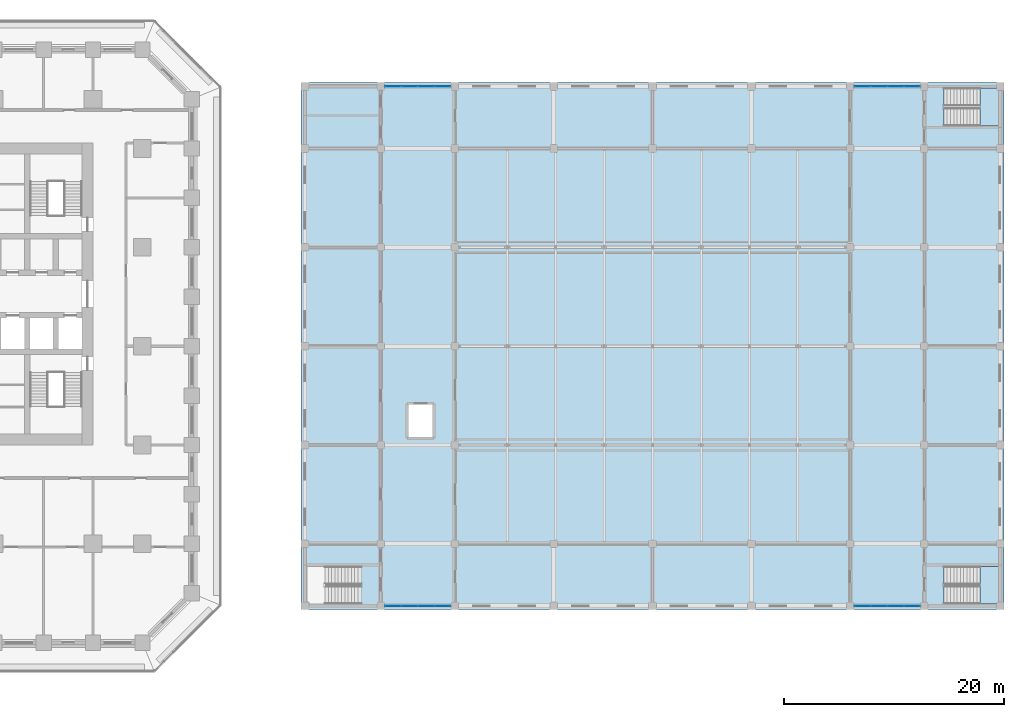
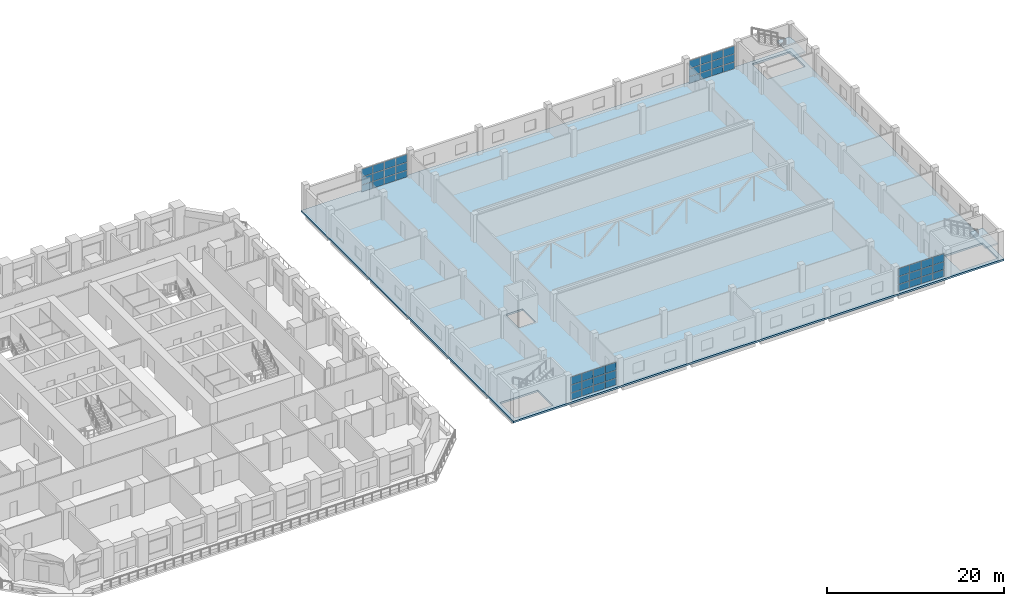
# One storey, part 24 of 42: 48 plates, 3 slabs, 6 elements without a shape of their own.
"""IFC4 building model written with IfcOpenShell, lengths in metres."""

from ifc_helpers import new_model, si_unit, direction, frame, origin, origin_2d, place, context, subcontext, project, spatial, polyline, rectangle, outline, extrude, material, layer, layer_set, type_object, element, aggregate, save


model = new_model("IFC4")

# Units and contexts
model_context = context("Model", 3, precision=1e-05, world=origin(), true_north=direction((0.0, 1.0)))
body_context = subcontext(model_context, "Body", "Model", "MODEL_VIEW")
ifc_project = project(units=[si_unit("LENGTHUNIT", "METRE"), si_unit("AREAUNIT", "SQUARE_METRE"), si_unit("VOLUMEUNIT", "CUBIC_METRE"), si_unit("PLANEANGLEUNIT", "RADIAN"), si_unit("MASSUNIT", "GRAM", prefix="KILO")], contexts=[model_context])

# Site, building, storey
site_placement = place(None, origin())
site = spatial("IfcSite", under=ifc_project, at=site_placement, CompositionType="ELEMENT")
building_placement = place(site_placement, origin())
building = spatial("IfcBuilding", under=site, at=building_placement, Name="Corbel Stack Research Tower", CompositionType="ELEMENT")
storey_placement = place(building_placement, frame((0.0, 0.0, 11.300048828125)))
storey = spatial("IfcBuildingStorey", under=building, at=storey_placement, Name="L02", CompositionType="ELEMENT", Elevation=11.300048828125)

# Curtain wall, plates
ifc_material_1 = material(Name="Aluminium", Category="aluminium")
ifc_layer_1 = layer(ifc_material_1, 0.14990234375)
ifc_layer_set_1 = layer_set([ifc_layer_1], Name="Aluminium")
curtain_wall_type = type_object("IfcCurtainWallType", Name="CW5 main facade curtain wall", PredefinedType="NOTDEFINED", material=ifc_layer_set_1)
curtain_wall_1_placement = place(storey_placement, origin())
curtain_wall_1 = element("IfcCurtainWall", 1, at=curtain_wall_1_placement, inside=storey, type_object=curtain_wall_type, Name="Main facade curtain wall L02 1", PredefinedType="NOTDEFINED")
ifc_material_2 = material(Name="Glass", Category="glass")
ifc_layer_2 = layer(ifc_material_2, 0.028076171875)
ifc_layer_set_2 = layer_set([ifc_layer_2], Name="Glass")
plate_type = type_object("IfcPlateType", Name="CW5 glass panel 28", PredefinedType="CURTAIN_PANEL", material=ifc_layer_set_2)
plate_1_placement = place(storey_placement, frame((45.3212890625, -23.64990234375, 0.06005859375), z_axis=(0.0, 0.0, 1.0), x_axis=(1.0, 0.0, 0.0)))
plate_1 = element("IfcPlate", 2, at=plate_1_placement, type_object=plate_type, Name="CW5 panel 1.1", PredefinedType="CURTAIN_PANEL", context=body_context, shape_type="SweptSolid", body=[
    extrude(rectangle(XDim=1.422607421875, YDim=0.028076171875, at=origin_2d()), origin(), (0.0, 0.0, 1.0), 0.909912109375),
])
plate_2_placement = place(storey_placement, frame((45.3212890625, -23.64990234375, 1.030029296875), z_axis=(0.0, 0.0, 1.0), x_axis=(1.0, 0.0, 0.0)))
plate_2 = element("IfcPlate", 3, at=plate_2_placement, type_object=plate_type, Name="CW5 panel 1.2", PredefinedType="CURTAIN_PANEL", context=body_context, shape_type="SweptSolid", body=[
    extrude(rectangle(XDim=1.422607421875, YDim=0.028076171875, at=origin_2d()), origin(), (0.0, 0.0, 1.0), 1.0400390625),
])
plate_3_placement = place(storey_placement, frame((45.3212890625, -23.64990234375, 2.1298828125), z_axis=(0.0, 0.0, 1.0), x_axis=(1.0, 0.0, 0.0)))
plate_3 = element("IfcPlate", 4, at=plate_3_placement, type_object=plate_type, Name="CW5 panel 1.3", PredefinedType="CURTAIN_PANEL", context=body_context, shape_type="SweptSolid", body=[
    extrude(rectangle(XDim=1.422607421875, YDim=0.028076171875, at=origin_2d()), origin(), (0.0, 0.0, 1.0), 1.06005859375),
])
plate_4_placement = place(storey_placement, frame((46.81884765625, -23.64990234375, 0.06005859375), z_axis=(0.0, 0.0, 1.0), x_axis=(1.0, 0.0, 0.0)))
plate_4 = element("IfcPlate", 5, at=plate_4_placement, type_object=plate_type, Name="CW5 panel 2.1", PredefinedType="CURTAIN_PANEL", context=body_context, shape_type="SweptSolid", body=[
    extrude(rectangle(XDim=1.452392578125, YDim=0.028076171875, at=origin_2d()), origin(), (0.0, 0.0, 1.0), 0.909912109375),
])
plate_5_placement = place(storey_placement, frame((46.81884765625, -23.64990234375, 1.030029296875), z_axis=(0.0, 0.0, 1.0), x_axis=(1.0, 0.0, 0.0)))
plate_5 = element("IfcPlate", 6, at=plate_5_placement, type_object=plate_type, Name="CW5 panel 2.2", PredefinedType="CURTAIN_PANEL", context=body_context, shape_type="SweptSolid", body=[
    extrude(rectangle(XDim=1.452392578125, YDim=0.028076171875, at=origin_2d()), origin(), (0.0, 0.0, 1.0), 1.0400390625),
])
plate_6_placement = place(storey_placement, frame((46.81884765625, -23.64990234375, 2.1298828125), z_axis=(0.0, 0.0, 1.0), x_axis=(1.0, 0.0, 0.0)))
plate_6 = element("IfcPlate", 7, at=plate_6_placement, type_object=plate_type, Name="CW5 panel 2.3", PredefinedType="CURTAIN_PANEL", context=body_context, shape_type="SweptSolid", body=[
    extrude(rectangle(XDim=1.452392578125, YDim=0.028076171875, at=origin_2d()), origin(), (0.0, 0.0, 1.0), 1.06005859375),
])
plate_7_placement = place(storey_placement, frame((48.331298828125, -23.64990234375, 0.06005859375), z_axis=(0.0, 0.0, 1.0), x_axis=(1.0, 0.0, 0.0)))
plate_7 = element("IfcPlate", 8, at=plate_7_placement, type_object=plate_type, Name="CW5 panel 3.1", PredefinedType="CURTAIN_PANEL", context=body_context, shape_type="SweptSolid", body=[
    extrude(rectangle(XDim=1.452392578125, YDim=0.028076171875, at=origin_2d()), origin(), (0.0, 0.0, 1.0), 0.909912109375),
])
plate_8_placement = place(storey_placement, frame((48.331298828125, -23.64990234375, 1.030029296875), z_axis=(0.0, 0.0, 1.0), x_axis=(1.0, 0.0, 0.0)))
plate_8 = element("IfcPlate", 9, at=plate_8_placement, type_object=plate_type, Name="CW5 panel 3.2", PredefinedType="CURTAIN_PANEL", context=body_context, shape_type="SweptSolid", body=[
    extrude(rectangle(XDim=1.452392578125, YDim=0.028076171875, at=origin_2d()), origin(), (0.0, 0.0, 1.0), 1.0400390625),
])
plate_9_placement = place(storey_placement, frame((48.331298828125, -23.64990234375, 2.1298828125), z_axis=(0.0, 0.0, 1.0), x_axis=(1.0, 0.0, 0.0)))
plate_9 = element("IfcPlate", 10, at=plate_9_placement, type_object=plate_type, Name="CW5 panel 3.3", PredefinedType="CURTAIN_PANEL", context=body_context, shape_type="SweptSolid", body=[
    extrude(rectangle(XDim=1.452392578125, YDim=0.028076171875, at=origin_2d()), origin(), (0.0, 0.0, 1.0), 1.06005859375),
])
plate_10_placement = place(storey_placement, frame((49.828857421875, -23.64990234375, 0.06005859375), z_axis=(0.0, 0.0, 1.0), x_axis=(1.0, 0.0, 0.0)))
plate_10 = element("IfcPlate", 11, at=plate_10_placement, type_object=plate_type, Name="CW5 panel 4.1", PredefinedType="CURTAIN_PANEL", context=body_context, shape_type="SweptSolid", body=[
    extrude(rectangle(XDim=1.422607421875, YDim=0.028076171875, at=origin_2d()), origin(), (0.0, 0.0, 1.0), 0.909912109375),
])
plate_11_placement = place(storey_placement, frame((49.828857421875, -23.64990234375, 1.030029296875), z_axis=(0.0, 0.0, 1.0), x_axis=(1.0, 0.0, 0.0)))
plate_11 = element("IfcPlate", 12, at=plate_11_placement, type_object=plate_type, Name="CW5 panel 4.2", PredefinedType="CURTAIN_PANEL", context=body_context, shape_type="SweptSolid", body=[
    extrude(rectangle(XDim=1.422607421875, YDim=0.028076171875, at=origin_2d()), origin(), (0.0, 0.0, 1.0), 1.0400390625),
])
plate_12_placement = place(storey_placement, frame((49.828857421875, -23.64990234375, 2.1298828125), z_axis=(0.0, 0.0, 1.0), x_axis=(1.0, 0.0, 0.0)))
plate_12 = element("IfcPlate", 13, at=plate_12_placement, type_object=plate_type, Name="CW5 panel 4.3", PredefinedType="CURTAIN_PANEL", context=body_context, shape_type="SweptSolid", body=[
    extrude(rectangle(XDim=1.422607421875, YDim=0.028076171875, at=origin_2d()), origin(), (0.0, 0.0, 1.0), 1.06005859375),
])
aggregate(curtain_wall_1, [plate_1, plate_2, plate_3, plate_4, plate_5, plate_6, plate_7, plate_8, plate_9, plate_10, plate_11, plate_12])

curtain_wall_2_placement = place(storey_placement, origin())
curtain_wall_2 = element("IfcCurtainWall", 14, at=curtain_wall_2_placement, inside=storey, type_object=curtain_wall_type, Name="Main facade curtain wall L02 2", PredefinedType="NOTDEFINED")
plate_13_placement = place(storey_placement, frame((45.3212890625, 23.64990234375, 0.06005859375), z_axis=(0.0, 0.0, 1.0), x_axis=(1.0, 0.0, 0.0)))
plate_13 = element("IfcPlate", 15, at=plate_13_placement, type_object=plate_type, Name="CW5 panel 1.1", PredefinedType="CURTAIN_PANEL", context=body_context, shape_type="SweptSolid", body=[
    extrude(rectangle(XDim=1.422607421875, YDim=0.028076171875, at=origin_2d()), origin(), (0.0, 0.0, 1.0), 0.909912109375),
])
plate_14_placement = place(storey_placement, frame((45.3212890625, 23.64990234375, 1.030029296875), z_axis=(0.0, 0.0, 1.0), x_axis=(1.0, 0.0, 0.0)))
plate_14 = element("IfcPlate", 16, at=plate_14_placement, type_object=plate_type, Name="CW5 panel 1.2", PredefinedType="CURTAIN_PANEL", context=body_context, shape_type="SweptSolid", body=[
    extrude(rectangle(XDim=1.422607421875, YDim=0.028076171875, at=origin_2d()), origin(), (0.0, 0.0, 1.0), 1.0400390625),
])
plate_15_placement = place(storey_placement, frame((45.3212890625, 23.64990234375, 2.1298828125), z_axis=(0.0, 0.0, 1.0), x_axis=(1.0, 0.0, 0.0)))
plate_15 = element("IfcPlate", 17, at=plate_15_placement, type_object=plate_type, Name="CW5 panel 1.3", PredefinedType="CURTAIN_PANEL", context=body_context, shape_type="SweptSolid", body=[
    extrude(rectangle(XDim=1.422607421875, YDim=0.028076171875, at=origin_2d()), origin(), (0.0, 0.0, 1.0), 1.06005859375),
])
plate_16_placement = place(storey_placement, frame((46.81884765625, 23.64990234375, 0.06005859375), z_axis=(0.0, 0.0, 1.0), x_axis=(1.0, 0.0, 0.0)))
plate_16 = element("IfcPlate", 18, at=plate_16_placement, type_object=plate_type, Name="CW5 panel 2.1", PredefinedType="CURTAIN_PANEL", context=body_context, shape_type="SweptSolid", body=[
    extrude(rectangle(XDim=1.452392578125, YDim=0.028076171875, at=origin_2d()), origin(), (0.0, 0.0, 1.0), 0.909912109375),
])
plate_17_placement = place(storey_placement, frame((46.81884765625, 23.64990234375, 1.030029296875), z_axis=(0.0, 0.0, 1.0), x_axis=(1.0, 0.0, 0.0)))
plate_17 = element("IfcPlate", 19, at=plate_17_placement, type_object=plate_type, Name="CW5 panel 2.2", PredefinedType="CURTAIN_PANEL", context=body_context, shape_type="SweptSolid", body=[
    extrude(rectangle(XDim=1.452392578125, YDim=0.028076171875, at=origin_2d()), origin(), (0.0, 0.0, 1.0), 1.0400390625),
])
plate_18_placement = place(storey_placement, frame((46.81884765625, 23.64990234375, 2.1298828125), z_axis=(0.0, 0.0, 1.0), x_axis=(1.0, 0.0, 0.0)))
plate_18 = element("IfcPlate", 20, at=plate_18_placement, type_object=plate_type, Name="CW5 panel 2.3", PredefinedType="CURTAIN_PANEL", context=body_context, shape_type="SweptSolid", body=[
    extrude(rectangle(XDim=1.452392578125, YDim=0.028076171875, at=origin_2d()), origin(), (0.0, 0.0, 1.0), 1.06005859375),
])
plate_19_placement = place(storey_placement, frame((48.331298828125, 23.64990234375, 0.06005859375), z_axis=(0.0, 0.0, 1.0), x_axis=(1.0, 0.0, 0.0)))
plate_19 = element("IfcPlate", 21, at=plate_19_placement, type_object=plate_type, Name="CW5 panel 3.1", PredefinedType="CURTAIN_PANEL", context=body_context, shape_type="SweptSolid", body=[
    extrude(rectangle(XDim=1.452392578125, YDim=0.028076171875, at=origin_2d()), origin(), (0.0, 0.0, 1.0), 0.909912109375),
])
plate_20_placement = place(storey_placement, frame((48.331298828125, 23.64990234375, 1.030029296875), z_axis=(0.0, 0.0, 1.0), x_axis=(1.0, 0.0, 0.0)))
plate_20 = element("IfcPlate", 22, at=plate_20_placement, type_object=plate_type, Name="CW5 panel 3.2", PredefinedType="CURTAIN_PANEL", context=body_context, shape_type="SweptSolid", body=[
    extrude(rectangle(XDim=1.452392578125, YDim=0.028076171875, at=origin_2d()), origin(), (0.0, 0.0, 1.0), 1.0400390625),
])
plate_21_placement = place(storey_placement, frame((48.331298828125, 23.64990234375, 2.1298828125), z_axis=(0.0, 0.0, 1.0), x_axis=(1.0, 0.0, 0.0)))
plate_21 = element("IfcPlate", 23, at=plate_21_placement, type_object=plate_type, Name="CW5 panel 3.3", PredefinedType="CURTAIN_PANEL", context=body_context, shape_type="SweptSolid", body=[
    extrude(rectangle(XDim=1.452392578125, YDim=0.028076171875, at=origin_2d()), origin(), (0.0, 0.0, 1.0), 1.06005859375),
])
plate_22_placement = place(storey_placement, frame((49.828857421875, 23.64990234375, 0.06005859375), z_axis=(0.0, 0.0, 1.0), x_axis=(1.0, 0.0, 0.0)))
plate_22 = element("IfcPlate", 24, at=plate_22_placement, type_object=plate_type, Name="CW5 panel 4.1", PredefinedType="CURTAIN_PANEL", context=body_context, shape_type="SweptSolid", body=[
    extrude(rectangle(XDim=1.422607421875, YDim=0.028076171875, at=origin_2d()), origin(), (0.0, 0.0, 1.0), 0.909912109375),
])
plate_23_placement = place(storey_placement, frame((49.828857421875, 23.64990234375, 1.030029296875), z_axis=(0.0, 0.0, 1.0), x_axis=(1.0, 0.0, 0.0)))
plate_23 = element("IfcPlate", 25, at=plate_23_placement, type_object=plate_type, Name="CW5 panel 4.2", PredefinedType="CURTAIN_PANEL", context=body_context, shape_type="SweptSolid", body=[
    extrude(rectangle(XDim=1.422607421875, YDim=0.028076171875, at=origin_2d()), origin(), (0.0, 0.0, 1.0), 1.0400390625),
])
plate_24_placement = place(storey_placement, frame((49.828857421875, 23.64990234375, 2.1298828125), z_axis=(0.0, 0.0, 1.0), x_axis=(1.0, 0.0, 0.0)))
plate_24 = element("IfcPlate", 26, at=plate_24_placement, type_object=plate_type, Name="CW5 panel 4.3", PredefinedType="CURTAIN_PANEL", context=body_context, shape_type="SweptSolid", body=[
    extrude(rectangle(XDim=1.422607421875, YDim=0.028076171875, at=origin_2d()), origin(), (0.0, 0.0, 1.0), 1.06005859375),
])
aggregate(curtain_wall_2, [plate_13, plate_14, plate_15, plate_16, plate_17, plate_18, plate_19, plate_20, plate_21, plate_22, plate_23, plate_24])

curtain_wall_3_placement = place(storey_placement, origin())
curtain_wall_3 = element("IfcCurtainWall", 27, at=curtain_wall_3_placement, inside=storey, type_object=curtain_wall_type, Name="Main facade curtain wall L02 3", PredefinedType="NOTDEFINED")
plate_25_placement = place(storey_placement, frame((88.0712890625, -23.64990234375, 0.06005859375), z_axis=(0.0, 0.0, 1.0), x_axis=(1.0, 0.0, 0.0)))
plate_25 = element("IfcPlate", 28, at=plate_25_placement, type_object=plate_type, Name="CW5 panel 1.1", PredefinedType="CURTAIN_PANEL", context=body_context, shape_type="SweptSolid", body=[
    extrude(rectangle(XDim=1.422607421875, YDim=0.028076171875, at=origin_2d()), origin(), (0.0, 0.0, 1.0), 0.909912109375),
])
plate_26_placement = place(storey_placement, frame((88.0712890625, -23.64990234375, 1.030029296875), z_axis=(0.0, 0.0, 1.0), x_axis=(1.0, 0.0, 0.0)))
plate_26 = element("IfcPlate", 29, at=plate_26_placement, type_object=plate_type, Name="CW5 panel 1.2", PredefinedType="CURTAIN_PANEL", context=body_context, shape_type="SweptSolid", body=[
    extrude(rectangle(XDim=1.422607421875, YDim=0.028076171875, at=origin_2d()), origin(), (0.0, 0.0, 1.0), 1.0400390625),
])
plate_27_placement = place(storey_placement, frame((88.0712890625, -23.64990234375, 2.1298828125), z_axis=(0.0, 0.0, 1.0), x_axis=(1.0, 0.0, 0.0)))
plate_27 = element("IfcPlate", 30, at=plate_27_placement, type_object=plate_type, Name="CW5 panel 1.3", PredefinedType="CURTAIN_PANEL", context=body_context, shape_type="SweptSolid", body=[
    extrude(rectangle(XDim=1.422607421875, YDim=0.028076171875, at=origin_2d()), origin(), (0.0, 0.0, 1.0), 1.06005859375),
])
plate_28_placement = place(storey_placement, frame((89.56884765625, -23.64990234375, 0.06005859375), z_axis=(0.0, 0.0, 1.0), x_axis=(1.0, 0.0, 0.0)))
plate_28 = element("IfcPlate", 31, at=plate_28_placement, type_object=plate_type, Name="CW5 panel 2.1", PredefinedType="CURTAIN_PANEL", context=body_context, shape_type="SweptSolid", body=[
    extrude(rectangle(XDim=1.452392578125, YDim=0.028076171875, at=origin_2d()), origin(), (0.0, 0.0, 1.0), 0.909912109375),
])
plate_29_placement = place(storey_placement, frame((89.56884765625, -23.64990234375, 1.030029296875), z_axis=(0.0, 0.0, 1.0), x_axis=(1.0, 0.0, 0.0)))
plate_29 = element("IfcPlate", 32, at=plate_29_placement, type_object=plate_type, Name="CW5 panel 2.2", PredefinedType="CURTAIN_PANEL", context=body_context, shape_type="SweptSolid", body=[
    extrude(rectangle(XDim=1.452392578125, YDim=0.028076171875, at=origin_2d()), origin(), (0.0, 0.0, 1.0), 1.0400390625),
])
plate_30_placement = place(storey_placement, frame((89.56884765625, -23.64990234375, 2.1298828125), z_axis=(0.0, 0.0, 1.0), x_axis=(1.0, 0.0, 0.0)))
plate_30 = element("IfcPlate", 33, at=plate_30_placement, type_object=plate_type, Name="CW5 panel 2.3", PredefinedType="CURTAIN_PANEL", context=body_context, shape_type="SweptSolid", body=[
    extrude(rectangle(XDim=1.452392578125, YDim=0.028076171875, at=origin_2d()), origin(), (0.0, 0.0, 1.0), 1.06005859375),
])
plate_31_placement = place(storey_placement, frame((91.081298828125, -23.64990234375, 0.06005859375), z_axis=(0.0, 0.0, 1.0), x_axis=(1.0, 0.0, 0.0)))
plate_31 = element("IfcPlate", 34, at=plate_31_placement, type_object=plate_type, Name="CW5 panel 3.1", PredefinedType="CURTAIN_PANEL", context=body_context, shape_type="SweptSolid", body=[
    extrude(rectangle(XDim=1.452392578125, YDim=0.028076171875, at=origin_2d()), origin(), (0.0, 0.0, 1.0), 0.909912109375),
])
plate_32_placement = place(storey_placement, frame((91.081298828125, -23.64990234375, 1.030029296875), z_axis=(0.0, 0.0, 1.0), x_axis=(1.0, 0.0, 0.0)))
plate_32 = element("IfcPlate", 35, at=plate_32_placement, type_object=plate_type, Name="CW5 panel 3.2", PredefinedType="CURTAIN_PANEL", context=body_context, shape_type="SweptSolid", body=[
    extrude(rectangle(XDim=1.452392578125, YDim=0.028076171875, at=origin_2d()), origin(), (0.0, 0.0, 1.0), 1.0400390625),
])
plate_33_placement = place(storey_placement, frame((91.081298828125, -23.64990234375, 2.1298828125), z_axis=(0.0, 0.0, 1.0), x_axis=(1.0, 0.0, 0.0)))
plate_33 = element("IfcPlate", 36, at=plate_33_placement, type_object=plate_type, Name="CW5 panel 3.3", PredefinedType="CURTAIN_PANEL", context=body_context, shape_type="SweptSolid", body=[
    extrude(rectangle(XDim=1.452392578125, YDim=0.028076171875, at=origin_2d()), origin(), (0.0, 0.0, 1.0), 1.06005859375),
])
plate_34_placement = place(storey_placement, frame((92.578857421875, -23.64990234375, 0.06005859375), z_axis=(0.0, 0.0, 1.0), x_axis=(1.0, 0.0, 0.0)))
plate_34 = element("IfcPlate", 37, at=plate_34_placement, type_object=plate_type, Name="CW5 panel 4.1", PredefinedType="CURTAIN_PANEL", context=body_context, shape_type="SweptSolid", body=[
    extrude(rectangle(XDim=1.422607421875, YDim=0.028076171875, at=origin_2d()), origin(), (0.0, 0.0, 1.0), 0.909912109375),
])
plate_35_placement = place(storey_placement, frame((92.578857421875, -23.64990234375, 1.030029296875), z_axis=(0.0, 0.0, 1.0), x_axis=(1.0, 0.0, 0.0)))
plate_35 = element("IfcPlate", 38, at=plate_35_placement, type_object=plate_type, Name="CW5 panel 4.2", PredefinedType="CURTAIN_PANEL", context=body_context, shape_type="SweptSolid", body=[
    extrude(rectangle(XDim=1.422607421875, YDim=0.028076171875, at=origin_2d()), origin(), (0.0, 0.0, 1.0), 1.0400390625),
])
plate_36_placement = place(storey_placement, frame((92.578857421875, -23.64990234375, 2.1298828125), z_axis=(0.0, 0.0, 1.0), x_axis=(1.0, 0.0, 0.0)))
plate_36 = element("IfcPlate", 39, at=plate_36_placement, type_object=plate_type, Name="CW5 panel 4.3", PredefinedType="CURTAIN_PANEL", context=body_context, shape_type="SweptSolid", body=[
    extrude(rectangle(XDim=1.422607421875, YDim=0.028076171875, at=origin_2d()), origin(), (0.0, 0.0, 1.0), 1.06005859375),
])
aggregate(curtain_wall_3, [plate_25, plate_26, plate_27, plate_28, plate_29, plate_30, plate_31, plate_32, plate_33, plate_34, plate_35, plate_36])

curtain_wall_4_placement = place(storey_placement, origin())
curtain_wall_4 = element("IfcCurtainWall", 40, at=curtain_wall_4_placement, inside=storey, type_object=curtain_wall_type, Name="Main facade curtain wall L02 4", PredefinedType="NOTDEFINED")
plate_37_placement = place(storey_placement, frame((88.0712890625, 23.64990234375, 0.06005859375), z_axis=(0.0, 0.0, 1.0), x_axis=(1.0, 0.0, 0.0)))
plate_37 = element("IfcPlate", 41, at=plate_37_placement, type_object=plate_type, Name="CW5 panel 1.1", PredefinedType="CURTAIN_PANEL", context=body_context, shape_type="SweptSolid", body=[
    extrude(rectangle(XDim=1.422607421875, YDim=0.028076171875, at=origin_2d()), origin(), (0.0, 0.0, 1.0), 0.909912109375),
])
plate_38_placement = place(storey_placement, frame((88.0712890625, 23.64990234375, 1.030029296875), z_axis=(0.0, 0.0, 1.0), x_axis=(1.0, 0.0, 0.0)))
plate_38 = element("IfcPlate", 42, at=plate_38_placement, type_object=plate_type, Name="CW5 panel 1.2", PredefinedType="CURTAIN_PANEL", context=body_context, shape_type="SweptSolid", body=[
    extrude(rectangle(XDim=1.422607421875, YDim=0.028076171875, at=origin_2d()), origin(), (0.0, 0.0, 1.0), 1.0400390625),
])
plate_39_placement = place(storey_placement, frame((88.0712890625, 23.64990234375, 2.1298828125), z_axis=(0.0, 0.0, 1.0), x_axis=(1.0, 0.0, 0.0)))
plate_39 = element("IfcPlate", 43, at=plate_39_placement, type_object=plate_type, Name="CW5 panel 1.3", PredefinedType="CURTAIN_PANEL", context=body_context, shape_type="SweptSolid", body=[
    extrude(rectangle(XDim=1.422607421875, YDim=0.028076171875, at=origin_2d()), origin(), (0.0, 0.0, 1.0), 1.06005859375),
])
plate_40_placement = place(storey_placement, frame((89.56884765625, 23.64990234375, 0.06005859375), z_axis=(0.0, 0.0, 1.0), x_axis=(1.0, 0.0, 0.0)))
plate_40 = element("IfcPlate", 44, at=plate_40_placement, type_object=plate_type, Name="CW5 panel 2.1", PredefinedType="CURTAIN_PANEL", context=body_context, shape_type="SweptSolid", body=[
    extrude(rectangle(XDim=1.452392578125, YDim=0.028076171875, at=origin_2d()), origin(), (0.0, 0.0, 1.0), 0.909912109375),
])
plate_41_placement = place(storey_placement, frame((89.56884765625, 23.64990234375, 1.030029296875), z_axis=(0.0, 0.0, 1.0), x_axis=(1.0, 0.0, 0.0)))
plate_41 = element("IfcPlate", 45, at=plate_41_placement, type_object=plate_type, Name="CW5 panel 2.2", PredefinedType="CURTAIN_PANEL", context=body_context, shape_type="SweptSolid", body=[
    extrude(rectangle(XDim=1.452392578125, YDim=0.028076171875, at=origin_2d()), origin(), (0.0, 0.0, 1.0), 1.0400390625),
])
plate_42_placement = place(storey_placement, frame((89.56884765625, 23.64990234375, 2.1298828125), z_axis=(0.0, 0.0, 1.0), x_axis=(1.0, 0.0, 0.0)))
plate_42 = element("IfcPlate", 46, at=plate_42_placement, type_object=plate_type, Name="CW5 panel 2.3", PredefinedType="CURTAIN_PANEL", context=body_context, shape_type="SweptSolid", body=[
    extrude(rectangle(XDim=1.452392578125, YDim=0.028076171875, at=origin_2d()), origin(), (0.0, 0.0, 1.0), 1.06005859375),
])
plate_43_placement = place(storey_placement, frame((91.081298828125, 23.64990234375, 0.06005859375), z_axis=(0.0, 0.0, 1.0), x_axis=(1.0, 0.0, 0.0)))
plate_43 = element("IfcPlate", 47, at=plate_43_placement, type_object=plate_type, Name="CW5 panel 3.1", PredefinedType="CURTAIN_PANEL", context=body_context, shape_type="SweptSolid", body=[
    extrude(rectangle(XDim=1.452392578125, YDim=0.028076171875, at=origin_2d()), origin(), (0.0, 0.0, 1.0), 0.909912109375),
])
plate_44_placement = place(storey_placement, frame((91.081298828125, 23.64990234375, 1.030029296875), z_axis=(0.0, 0.0, 1.0), x_axis=(1.0, 0.0, 0.0)))
plate_44 = element("IfcPlate", 48, at=plate_44_placement, type_object=plate_type, Name="CW5 panel 3.2", PredefinedType="CURTAIN_PANEL", context=body_context, shape_type="SweptSolid", body=[
    extrude(rectangle(XDim=1.452392578125, YDim=0.028076171875, at=origin_2d()), origin(), (0.0, 0.0, 1.0), 1.0400390625),
])
plate_45_placement = place(storey_placement, frame((91.081298828125, 23.64990234375, 2.1298828125), z_axis=(0.0, 0.0, 1.0), x_axis=(1.0, 0.0, 0.0)))
plate_45 = element("IfcPlate", 49, at=plate_45_placement, type_object=plate_type, Name="CW5 panel 3.3", PredefinedType="CURTAIN_PANEL", context=body_context, shape_type="SweptSolid", body=[
    extrude(rectangle(XDim=1.452392578125, YDim=0.028076171875, at=origin_2d()), origin(), (0.0, 0.0, 1.0), 1.06005859375),
])
plate_46_placement = place(storey_placement, frame((92.578857421875, 23.64990234375, 0.06005859375), z_axis=(0.0, 0.0, 1.0), x_axis=(1.0, 0.0, 0.0)))
plate_46 = element("IfcPlate", 50, at=plate_46_placement, type_object=plate_type, Name="CW5 panel 4.1", PredefinedType="CURTAIN_PANEL", context=body_context, shape_type="SweptSolid", body=[
    extrude(rectangle(XDim=1.422607421875, YDim=0.028076171875, at=origin_2d()), origin(), (0.0, 0.0, 1.0), 0.909912109375),
])
plate_47_placement = place(storey_placement, frame((92.578857421875, 23.64990234375, 1.030029296875), z_axis=(0.0, 0.0, 1.0), x_axis=(1.0, 0.0, 0.0)))
plate_47 = element("IfcPlate", 51, at=plate_47_placement, type_object=plate_type, Name="CW5 panel 4.2", PredefinedType="CURTAIN_PANEL", context=body_context, shape_type="SweptSolid", body=[
    extrude(rectangle(XDim=1.422607421875, YDim=0.028076171875, at=origin_2d()), origin(), (0.0, 0.0, 1.0), 1.0400390625),
])
plate_48_placement = place(storey_placement, frame((92.578857421875, 23.64990234375, 2.1298828125), z_axis=(0.0, 0.0, 1.0), x_axis=(1.0, 0.0, 0.0)))
plate_48 = element("IfcPlate", 52, at=plate_48_placement, type_object=plate_type, Name="CW5 panel 4.3", PredefinedType="CURTAIN_PANEL", context=body_context, shape_type="SweptSolid", body=[
    extrude(rectangle(XDim=1.422607421875, YDim=0.028076171875, at=origin_2d()), origin(), (0.0, 0.0, 1.0), 1.06005859375),
])
aggregate(curtain_wall_4, [plate_37, plate_38, plate_39, plate_40, plate_41, plate_42, plate_43, plate_44, plate_45, plate_46, plate_47, plate_48])

# Slab
ifc_material_3 = material(Name="Concrete C40/50", Category="concrete")
ifc_layer_3 = layer(ifc_material_3, 0.25)
ifc_layer_set_3 = layer_set([ifc_layer_3], Name="Concrete C40/50")
slab_type_1 = type_object("IfcSlabType", Name="HS1 floor slab 250", PredefinedType="FLOOR", material=ifc_layer_set_3)
slab_1_placement = place(storey_placement, frame((0.0, 0.0, -0.25)))
element("IfcSlab", 53, at=slab_1_placement, inside=storey, type_object=slab_type_1, Name="Hall floor slab L02", PredefinedType="FLOOR", context=body_context, shape_type="SweptSolid", body=[
    extrude(outline(polyline([(100.949951171875, -24.0), (36.949951171875, -24.0), (36.949951171875, 24.0), (100.949951171875, 24.0), (100.949951171875, -24.0)]), holes=[polyline([(95.5048828125, 23.5), (95.5048828125, 20.050048828125), (100.449951171875, 20.050048828125), (100.449951171875, 23.5), (95.5048828125, 23.5)]), polyline([(100.449951171875, -20.050048828125), (95.5048828125, -20.050048828125), (95.5048828125, -23.5), (100.449951171875, -23.5), (100.449951171875, -20.050048828125)]), polyline([(48.925048828125, -5.324951171875), (46.72509765625, -5.324951171875), (46.72509765625, -8.27490234375), (48.925048828125, -8.27490234375), (48.925048828125, -5.324951171875)]), polyline([(37.449951171875, -23.5), (42.39501953125, -23.5), (42.39501953125, -20.050048828125), (37.449951171875, -20.050048828125), (37.449951171875, -23.5)])]), origin(), (0.0, 0.0, 1.0), 0.25),
])

# Stair, slab
ifc_material_4 = material(Name="Concrete C40/50", Category="concrete")
stair_type = type_object("IfcStairType", Name="HST1 exit stair", PredefinedType="HALF_TURN_STAIR", material=ifc_material_4)
stair_1_placement = place(storey_placement, origin())
stair_1 = element("IfcStair", 54, at=stair_1_placement, inside=storey, type_object=stair_type, Name="L02 exit stair 2", PredefinedType="HALF_TURN_STAIR")
ifc_material_5 = material(Name="Concrete C40/50", Category="concrete")
ifc_layer_4 = layer(ifc_material_5, 0.199951171875)
ifc_layer_set_4 = layer_set([ifc_layer_4], Name="Concrete C40/50")
slab_type_2 = type_object("IfcSlabType", Name="HS4 stair landing 200", PredefinedType="LANDING", material=ifc_layer_set_4)
slab_2_placement = place(storey_placement, frame((0.0, 0.0, 1.849853515625)))
slab_2 = element("IfcSlab", 55, at=slab_2_placement, type_object=slab_type_2, Name="HS2 landing 1", PredefinedType="LANDING", context=body_context, shape_type="SweptSolid", body=[
    extrude(outline(polyline([(98.77490234375, 20.050048828125), (100.449951171875, 20.050048828125), (100.449951171875, 23.5), (98.77490234375, 23.5), (98.77490234375, 20.050048828125)])), origin(), (0.0, 0.0, 1.0), 0.2001953125),
])
aggregate(stair_1, [slab_2])

stair_2_placement = place(storey_placement, origin())
stair_2 = element("IfcStair", 56, at=stair_2_placement, inside=storey, type_object=stair_type, Name="L02 exit stair 3", PredefinedType="HALF_TURN_STAIR")
slab_3_placement = place(storey_placement, frame((0.0, 0.0, 1.849853515625)))
slab_3 = element("IfcSlab", 57, at=slab_3_placement, type_object=slab_type_2, Name="HS3 landing 1", PredefinedType="LANDING", context=body_context, shape_type="SweptSolid", body=[
    extrude(outline(polyline([(98.77490234375, -23.5), (100.449951171875, -23.5), (100.449951171875, -20.050048828125), (98.77490234375, -20.050048828125), (98.77490234375, -23.5)])), origin(), (0.0, 0.0, 1.0), 0.2001953125),
])
aggregate(stair_2, [slab_3])

save(model, "model.ifc")
